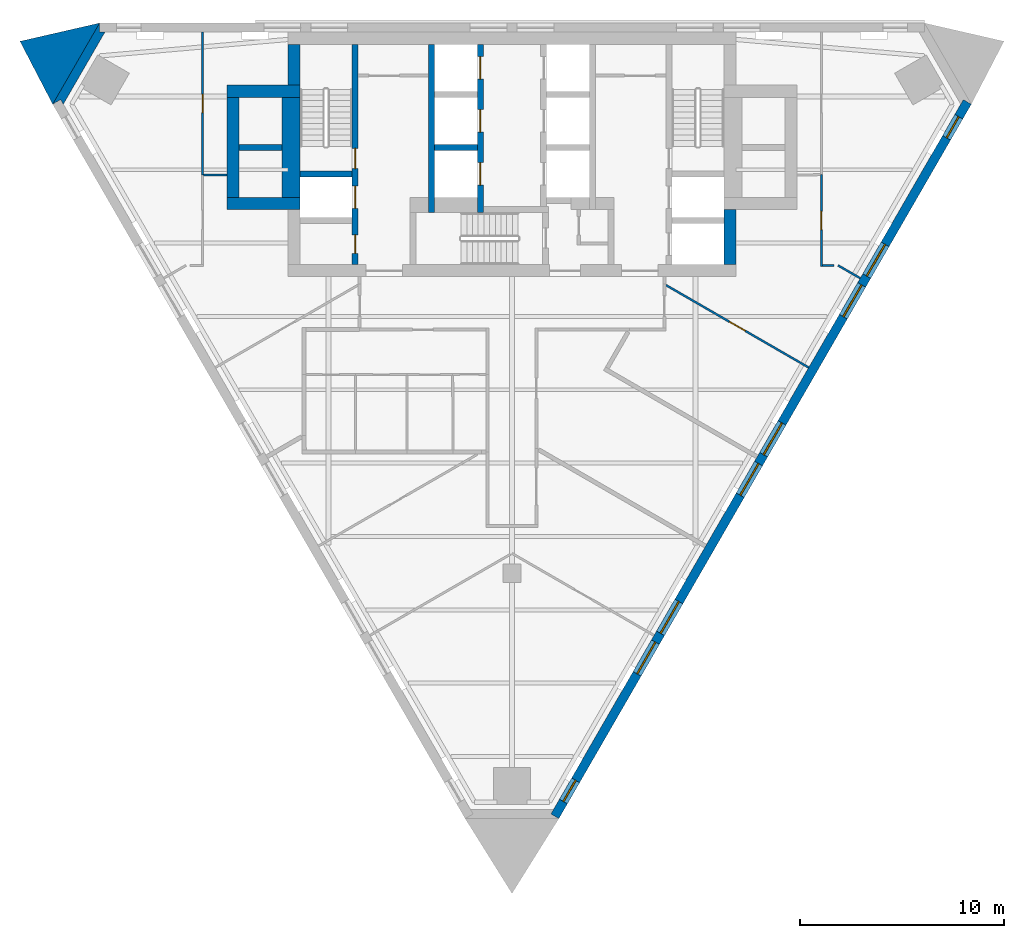
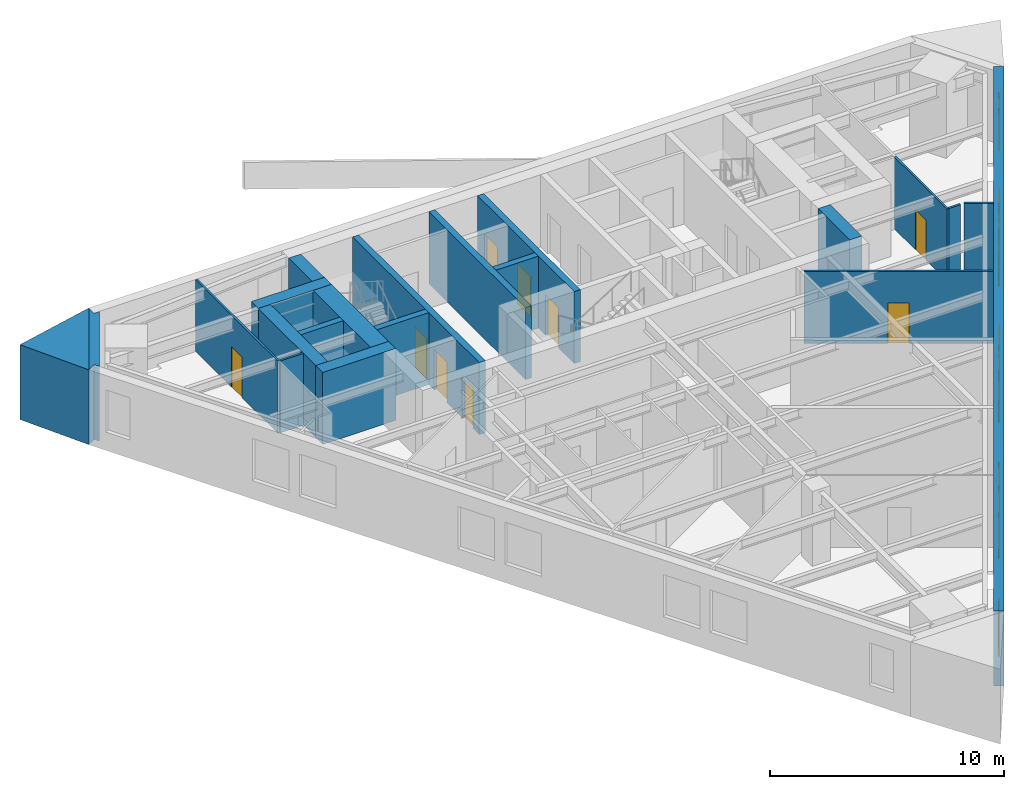
# One storey, part 4 of 7: 21 walls, 9 doors, 8 windows, 17 openings.
"""IFC4 building model written with IfcOpenShell, lengths in metres."""

from ifc_helpers import new_model, si_unit, direction, frame, frame_2d, origin, place, context, subcontext, project, spatial, polyline, rectangle, outline, extrude, material, layer, layer_set, type_object, element, fill, save


model = new_model("IFC4")

# Units and contexts
model_context = context("Model", 3, precision=1e-05, world=origin(), true_north=direction((0.0, 1.0)))
body_context = subcontext(model_context, "Body", "Model", "MODEL_VIEW")
ifc_project = project(units=[si_unit("LENGTHUNIT", "METRE"), si_unit("AREAUNIT", "SQUARE_METRE"), si_unit("VOLUMEUNIT", "CUBIC_METRE"), si_unit("PLANEANGLEUNIT", "RADIAN"), si_unit("MASSUNIT", "GRAM", prefix="KILO")], contexts=[model_context])

# Site, building, storey
site_placement = place(None, origin())
site = spatial("IfcSite", under=ifc_project, at=site_placement, CompositionType="ELEMENT")
building_placement = place(site_placement, origin())
building = spatial("IfcBuilding", under=site, at=building_placement, Name="Aloe Facet Convention Tower", CompositionType="ELEMENT")
storey_placement = place(building_placement, frame((0.0, 0.0, 132.5)))
storey = spatial("IfcBuildingStorey", under=building, at=storey_placement, Name="L33", CompositionType="ELEMENT", Elevation=132.5)

# Walls
ifc_material_1 = material(Name="Concrete C60/75", Category="concrete")
ifc_layer_1 = layer(ifc_material_1, 0.300048828125)
ifc_layer_set_1 = layer_set([ifc_layer_1], Name="CR-W-RC300-C6075")
wall_type_1 = type_object("IfcWallType", Name="CR-W-RC300-C6075", PredefinedType="SOLIDWALL", material=ifc_layer_set_1)
wall_1_placement = place(storey_placement, frame((66.60009765625, 128.89990234375, 0.0), z_axis=(0.0, 0.0, 1.0), x_axis=(1.0, 0.0, 0.0)))
element("IfcWall", 1, at=wall_1_placement, inside=storey, type_object=wall_type_1, Name="Core wall L33-004", PredefinedType="SOLIDWALL", context=body_context, shape_type="SweptSolid", body=[
    extrude(rectangle(XDim=2.099853515625, YDim=0.300048828125, at=frame_2d((1.0498046875, 0.0))), origin(), (0.0, 0.0, 1.0), 3.75),
])
wall_2_placement = place(storey_placement, frame((69.60009765625, 127.60009765625, 0.0), z_axis=(0.0, 0.0, 1.0), x_axis=(1.0, 0.0, 0.0)))
element("IfcWall", 2, at=wall_2_placement, inside=storey, type_object=wall_type_1, Name="Core wall L33-010", PredefinedType="SOLIDWALL", context=body_context, shape_type="SweptSolid", body=[
    extrude(rectangle(XDim=2.5498046875, YDim=0.300048828125, at=frame_2d((1.27490234375, 0.0))), origin(), (0.0, 0.0, 1.0), 3.75),
])

# Wall, openings, doors
wall_3_placement = place(storey_placement, frame((72.300048828125, 133.949951171875, 0.0), z_axis=(0.0, 0.0, 1.0), x_axis=(0.0, -1.0, 0.0)))
wall_3 = element("IfcWall", 3, at=wall_3_placement, inside=storey, type_object=wall_type_1, Name="Core wall L33-012", PredefinedType="SOLIDWALL", context=body_context, shape_type="SweptSolid", body=[
    extrude(rectangle(XDim=10.800048828125, YDim=0.300048828125, at=frame_2d((5.39990234375, 0.0))), origin(), (0.0, 0.0, 1.0), 3.75),
])
opening_1_placement = place(wall_3_placement, frame((6.949951171875, 0.0, 0.0)))
opening_1 = element("IfcOpeningElement", 4, at=opening_1_placement, cuts=wall_3, Name="Opening LD-FF1-L33", PredefinedType="OPENING", context=body_context, shape_type="SweptSolid", body=[
    extrude(rectangle(XDim=1.10009765625, YDim=2.10009765625, at=frame_2d((0.550048828125, 1.050048828125))), frame((0.0, 0.16015625, 0.0), z_axis=(0.0, -1.0, 0.0), x_axis=(1.0, 0.0, 0.0)), (0.0, 0.0, 1.0), 0.320068359375),
])
opening_2_placement = place(wall_3_placement, frame((9.35009765625, 0.0, 0.0)))
opening_2 = element("IfcOpeningElement", 5, at=opening_2_placement, cuts=wall_3, Name="Opening L33-CD15", PredefinedType="OPENING", context=body_context, shape_type="SweptSolid", body=[
    extrude(rectangle(XDim=0.89990234375, YDim=2.10009765625, at=frame_2d((0.449951171875, 1.050048828125))), frame((0.0, 0.16015625, 0.0), z_axis=(0.0, -1.0, 0.0), x_axis=(1.0, 0.0, 0.0)), (0.0, 0.0, 1.0), 0.320068359375),
])
opening_3_placement = place(wall_3_placement, frame((5.10009765625, 0.0, 0.0)))
opening_3 = element("IfcOpeningElement", 6, at=opening_3_placement, cuts=wall_3, Name="Opening L33-CD16", PredefinedType="OPENING", context=body_context, shape_type="SweptSolid", body=[
    extrude(rectangle(XDim=1.0, YDim=2.10009765625, at=frame_2d((0.5, 1.050048828125))), frame((0.0, 0.16015625, 0.0), z_axis=(0.0, -1.0, 0.0), x_axis=(1.0, 0.0, 0.0)), (0.0, 0.0, 1.0), 0.320068359375),
])
ifc_material_2 = material(Name="Steel fire-resisting door set FD60", Category="steel")
door_type_1 = type_object("IfcDoorType", Name="CR-D-ROOM-900-FD60-SLEFT", OperationType="SINGLE_SWING_LEFT", PredefinedType="DOOR", material=ifc_material_2)
door_1_placement = place(opening_2_placement, origin())
door_1 = element("IfcDoor", 7, at=door_1_placement, inside=storey, type_object=door_type_1, Name="Core door L33-CD15", OperationType="SINGLE_SWING_LEFT", OverallHeight=2.10009765625, OverallWidth=0.89990234375, PredefinedType="DOOR", context=body_context, shape_type="SweptSolid", body=[
    extrude(rectangle(XDim=0.89990234375, YDim=2.10009765625, at=frame_2d((0.449951171875, 1.050048828125))), frame((0.0, 0.02490234375, 0.0), z_axis=(0.0, -1.0, 0.0), x_axis=(1.0, 0.0, 0.0)), (0.0, 0.0, 1.0), 0.050048828125),
])
fill(opening_2, door_1)
ifc_material_3 = material(Name="Steel fire-resisting door set FD120", Category="steel")
door_type_2 = type_object("IfcDoorType", Name="CR-D-STAIR-1000-FD120-SRIGHT", OperationType="SINGLE_SWING_RIGHT", PredefinedType="DOOR", material=ifc_material_3)
door_2_placement = place(opening_3_placement, origin())
door_2 = element("IfcDoor", 8, at=door_2_placement, inside=storey, type_object=door_type_2, Name="Core door L33-CD16", OperationType="SINGLE_SWING_RIGHT", OverallHeight=2.10009765625, OverallWidth=1.0, PredefinedType="DOOR", context=body_context, shape_type="SweptSolid", body=[
    extrude(rectangle(XDim=1.0, YDim=2.10009765625, at=frame_2d((0.5, 1.050048828125))), frame((0.0, 0.02490234375, 0.0), z_axis=(0.0, -1.0, 0.0), x_axis=(1.0, 0.0, 0.0)), (0.0, 0.0, 1.0), 0.050048828125),
])
fill(opening_3, door_2)
ifc_material_4 = material(Name="Stainless steel sliding landing door", Category="steel")
door_type_3 = type_object("IfcDoorType", Name="CR-LD-1100-FD120-_LEFT", OperationType="SLIDING_TO_LEFT", PredefinedType="DOOR", material=ifc_material_4)
door_3_placement = place(opening_1_placement, origin())
door_3 = element("IfcDoor", 9, at=door_3_placement, inside=storey, type_object=door_type_3, Name="Landing door FF1 L33", OperationType="SLIDING_TO_LEFT", OverallHeight=2.10009765625, OverallWidth=1.10009765625, PredefinedType="DOOR", context=body_context, shape_type="SweptSolid", body=[
    extrude(rectangle(XDim=1.10009765625, YDim=2.10009765625, at=frame_2d((0.550048828125, 1.050048828125))), frame((0.0, 0.02490234375, 0.0), z_axis=(0.0, -1.0, 0.0), x_axis=(1.0, 0.0, 0.0)), (0.0, 0.0, 1.0), 0.050048828125),
])
fill(opening_1, door_3)

# Walls
wall_4_placement = place(storey_placement, frame((76.050048828125, 133.949951171875, 0.0), z_axis=(0.0, 0.0, 1.0), x_axis=(0.0, -1.0, 0.0)))
element("IfcWall", 10, at=wall_4_placement, inside=storey, type_object=wall_type_1, Name="Core wall L33-016", PredefinedType="SOLIDWALL", context=body_context, shape_type="SweptSolid", body=[
    extrude(rectangle(XDim=8.25, YDim=0.300048828125, at=frame_2d((4.125, 0.0))), origin(), (0.0, 0.0, 1.0), 3.75),
])
wall_5_placement = place(storey_placement, frame((76.199951171875, 128.89990234375, 0.0), z_axis=(0.0, 0.0, 1.0), x_axis=(1.0, 0.0, 0.0)))
element("IfcWall", 11, at=wall_5_placement, inside=storey, type_object=wall_type_1, Name="Core wall L33-018", PredefinedType="SOLIDWALL", context=body_context, shape_type="SweptSolid", body=[
    extrude(rectangle(XDim=2.10009765625, YDim=0.300048828125, at=frame_2d((1.050048828125, 0.0))), origin(), (0.0, 0.0, 1.0), 3.75),
])

# Wall, openings, doors
wall_6_placement = place(storey_placement, frame((78.449951171875, 133.949951171875, 0.0), z_axis=(0.0, 0.0, 1.0), x_axis=(0.0, -1.0, 0.0)))
wall_6 = element("IfcWall", 12, at=wall_6_placement, inside=storey, type_object=wall_type_1, Name="Core wall L33-020", PredefinedType="SOLIDWALL", context=body_context, shape_type="SweptSolid", body=[
    extrude(rectangle(XDim=8.25, YDim=0.300048828125, at=frame_2d((4.125, 0.0))), origin(), (0.0, 0.0, 1.0), 3.75),
])
opening_4_placement = place(wall_6_placement, frame((0.60009765625, 0.0, 0.0)))
opening_4 = element("IfcOpeningElement", 13, at=opening_4_placement, cuts=wall_6, Name="Opening LD-B1-L33", PredefinedType="OPENING", context=body_context, shape_type="SweptSolid", body=[
    extrude(rectangle(XDim=1.10009765625, YDim=2.10009765625, at=frame_2d((0.550048828125, 1.050048828125))), frame((0.0, 0.16015625, 0.0), z_axis=(0.0, -1.0, 0.0), x_axis=(1.0, 0.0, 0.0)), (0.0, 0.0, 1.0), 0.320068359375),
])
opening_5_placement = place(wall_6_placement, frame((3.199951171875, 0.0, 0.0)))
opening_5 = element("IfcOpeningElement", 14, at=opening_5_placement, cuts=wall_6, Name="Opening LD-B2-L33", PredefinedType="OPENING", context=body_context, shape_type="SweptSolid", body=[
    extrude(rectangle(XDim=1.10009765625, YDim=2.10009765625, at=frame_2d((0.550048828125, 1.050048828125))), frame((0.0, 0.16015625, 0.0), z_axis=(0.0, -1.0, 0.0), x_axis=(1.0, 0.0, 0.0)), (0.0, 0.0, 1.0), 0.320068359375),
])
opening_6_placement = place(wall_6_placement, frame((5.800048828125, 0.0, 0.0)))
opening_6 = element("IfcOpeningElement", 15, at=opening_6_placement, cuts=wall_6, Name="Opening LD-B3-L33", PredefinedType="OPENING", context=body_context, shape_type="SweptSolid", body=[
    extrude(rectangle(XDim=1.10009765625, YDim=2.10009765625, at=frame_2d((0.550048828125, 1.050048828125))), frame((0.0, 0.16015625, 0.0), z_axis=(0.0, -1.0, 0.0), x_axis=(1.0, 0.0, 0.0)), (0.0, 0.0, 1.0), 0.320068359375),
])
ifc_material_5 = material(Name="Stainless steel sliding landing door", Category="steel")
door_type_4 = type_object("IfcDoorType", Name="CR-LD-1100-FD60-RIGHT", OperationType="SLIDING_TO_RIGHT", PredefinedType="DOOR", material=ifc_material_5)
door_4_placement = place(opening_4_placement, origin())
door_4 = element("IfcDoor", 16, at=door_4_placement, inside=storey, type_object=door_type_4, Name="Landing door B1 L33", OperationType="SLIDING_TO_RIGHT", OverallHeight=2.10009765625, OverallWidth=1.10009765625, PredefinedType="DOOR", context=body_context, shape_type="SweptSolid", body=[
    extrude(rectangle(XDim=1.10009765625, YDim=2.10009765625, at=frame_2d((0.550048828125, 1.050048828125))), frame((0.0, 0.02490234375, 0.0), z_axis=(0.0, -1.0, 0.0), x_axis=(1.0, 0.0, 0.0)), (0.0, 0.0, 1.0), 0.050048828125),
])
fill(opening_4, door_4)
door_5_placement = place(opening_5_placement, origin())
door_5 = element("IfcDoor", 17, at=door_5_placement, inside=storey, type_object=door_type_4, Name="Landing door B2 L33", OperationType="SLIDING_TO_RIGHT", OverallHeight=2.10009765625, OverallWidth=1.10009765625, PredefinedType="DOOR", context=body_context, shape_type="SweptSolid", body=[
    extrude(rectangle(XDim=1.10009765625, YDim=2.10009765625, at=frame_2d((0.550048828125, 1.050048828125))), frame((0.0, 0.02490234375, 0.0), z_axis=(0.0, -1.0, 0.0), x_axis=(1.0, 0.0, 0.0)), (0.0, 0.0, 1.0), 0.050048828125),
])
fill(opening_5, door_5)
door_6_placement = place(opening_6_placement, origin())
door_6 = element("IfcDoor", 18, at=door_6_placement, inside=storey, type_object=door_type_4, Name="Landing door B3 L33", OperationType="SLIDING_TO_RIGHT", OverallHeight=2.10009765625, OverallWidth=1.10009765625, PredefinedType="DOOR", context=body_context, shape_type="SweptSolid", body=[
    extrude(rectangle(XDim=1.10009765625, YDim=2.10009765625, at=frame_2d((0.550048828125, 1.050048828125))), frame((0.0, 0.02490234375, 0.0), z_axis=(0.0, -1.0, 0.0), x_axis=(1.0, 0.0, 0.0)), (0.0, 0.0, 1.0), 0.050048828125),
])
fill(opening_6, door_6)

# Walls
ifc_material_6 = material(Name="Concrete C60/75", Category="concrete")
ifc_layer_2 = layer(ifc_material_6, 0.60009765625)
ifc_layer_set_2 = layer_set([ifc_layer_2], Name="CR-W-RC600-C6075")
wall_type_2 = type_object("IfcWallType", Name="CR-W-RC600-C6075", PredefinedType="SOLIDWALL", material=ifc_layer_set_2)
wall_7_placement = place(storey_placement, frame((66.0, 131.64990234375, 0.0), z_axis=(0.0, 0.0, 1.0), x_axis=(1.0, 0.0, 0.0)))
element("IfcWall", 19, at=wall_7_placement, inside=storey, type_object=wall_type_2, Name="Core wall L33-001", PredefinedType="SOLIDWALL", context=body_context, shape_type="SweptSolid", body=[
    extrude(rectangle(XDim=3.60009765625, YDim=0.60009765625, at=frame_2d((1.800048828125, 0.0))), origin(), (0.0, 0.0, 1.0), 3.75),
])
wall_8_placement = place(storey_placement, frame((66.300048828125, 131.35009765625, 0.0), z_axis=(0.0, 0.0, 1.0), x_axis=(0.0, -1.0, 0.0)))
element("IfcWall", 20, at=wall_8_placement, inside=storey, type_object=wall_type_2, Name="Core wall L33-002", PredefinedType="SOLIDWALL", context=body_context, shape_type="SweptSolid", body=[
    extrude(rectangle(XDim=4.900146484375, YDim=0.60009765625, at=frame_2d((2.4501953125, 0.0))), origin(), (0.0, 0.0, 1.0), 3.75),
])
wall_9_placement = place(storey_placement, frame((66.0, 126.14990234375, 0.0), z_axis=(0.0, 0.0, 1.0), x_axis=(1.0, 0.0, 0.0)))
element("IfcWall", 21, at=wall_9_placement, inside=storey, type_object=wall_type_2, Name="Core wall L33-003", PredefinedType="SOLIDWALL", context=body_context, shape_type="SweptSolid", body=[
    extrude(rectangle(XDim=3.60009765625, YDim=0.60009765625, at=frame_2d((1.800048828125, 0.0))), origin(), (0.0, 0.0, 1.0), 3.75),
])
wall_10_placement = place(storey_placement, frame((69.300048828125, 133.949951171875, 0.0), z_axis=(0.0, 0.0, 1.0), x_axis=(0.0, -1.0, 0.0)))
element("IfcWall", 22, at=wall_10_placement, inside=storey, type_object=wall_type_2, Name="Core wall L33-007", PredefinedType="SOLIDWALL", context=body_context, shape_type="SweptSolid", body=[
    extrude(rectangle(XDim=2.0, YDim=0.60009765625, at=frame_2d((1.0, 0.0))), origin(), (0.0, 0.0, 1.0), 3.75),
])
wall_11_placement = place(storey_placement, frame((90.699951171875, 125.85009765625, 0.0), z_axis=(0.0, 0.0, 1.0), x_axis=(0.0, -1.0, 0.0)))
element("IfcWall", 23, at=wall_11_placement, inside=storey, type_object=wall_type_2, Name="Core wall L33-041", PredefinedType="SOLIDWALL", context=body_context, shape_type="SweptSolid", body=[
    extrude(rectangle(XDim=2.7001953125, YDim=0.60009765625, at=frame_2d((1.35009765625, 0.0))), origin(), (0.0, 0.0, 1.0), 3.75),
])
ifc_material_7 = material(Name="Concrete C60/75", Category="concrete")
ifc_layer_3 = layer(ifc_material_7, 0.89990234375)
ifc_layer_set_3 = layer_set([ifc_layer_3], Name="CR-W-RC900-C6075")
wall_type_3 = type_object("IfcWallType", Name="CR-W-RC900-C6075", PredefinedType="SOLIDWALL", material=ifc_layer_set_3)
wall_12_placement = place(storey_placement, frame((69.14990234375, 131.35009765625, 0.0), z_axis=(0.0, 0.0, 1.0), x_axis=(0.0, -1.0, 0.0)))
element("IfcWall", 24, at=wall_12_placement, inside=storey, type_object=wall_type_3, Name="Core wall L33-005", PredefinedType="SOLIDWALL", context=body_context, shape_type="SweptSolid", body=[
    extrude(rectangle(XDim=4.900146484375, YDim=0.89990234375, at=frame_2d((2.4501953125, 0.0))), origin(), (0.0, 0.0, 1.0), 3.75),
])
ifc_material_8 = material(Name="Precast concrete C40/50", Category="concrete")
ifc_layer_4 = layer(ifc_material_8, 0.449951171875)
ifc_layer_set_4 = layer_set([ifc_layer_4], Name="EV-WALL-PIER")
wall_type_4 = type_object("IfcWallType", Name="EV-WALL-PIER", PredefinedType="SOLIDWALL", material=ifc_layer_set_4)
wall_13_placement = place(storey_placement, frame((0.0, 0.0, -0.14990234375)))
element("IfcWall", 25, at=wall_13_placement, inside=storey, type_object=wall_type_4, Name="EP-L33-A", PredefinedType="SOLIDWALL", context=body_context, shape_type="SweptSolid", body=[
    extrude(outline(polyline([(59.7568359375, 135.0), (59.7568359375, 134.550048828125), (60.016845703125, 134.550048828125), (57.9765625, 131.016357421875), (57.8466796875, 131.2412109375), (57.45703125, 131.016357421875), (59.7568359375, 135.0)])), origin(), (0.0, 0.0, 1.0), 3.89990234375),
])
ifc_material_9 = material(Name="Precast concrete C40/50", Category="concrete")
ifc_layer_5 = layer(ifc_material_9, 3.947998046875)
ifc_layer_set_5 = layer_set([ifc_layer_5], Name="EV-WALL-SPINE")
wall_type_5 = type_object("IfcWallType", Name="EV-WALL-SPINE", PredefinedType="SOLIDWALL", material=ifc_layer_set_5)
wall_14_placement = place(storey_placement, frame((0.0, 0.0, -0.14990234375)))
element("IfcWall", 26, at=wall_14_placement, inside=storey, type_object=wall_type_5, Name="SP-NW-L33", PredefinedType="SOLIDWALL", context=body_context, shape_type="SweptSolid", body=[
    extrude(outline(polyline([(59.7568359375, 135.0), (55.851806640625, 134.1044921875), (57.45703125, 131.016357421875), (59.7568359375, 135.0)])), origin(), (0.0, 0.0, 1.0), 3.89990234375),
])

# Wall, openings, windows
ifc_material_10 = material(Name="Precast concrete C40/50", Category="concrete")
ifc_layer_6 = layer(ifc_material_10, 0.449951171875)
ifc_layer_set_6 = layer_set([ifc_layer_6], Name="EV-WALL-STONE")
wall_type_6 = type_object("IfcWallType", Name="EV-WALL-STONE", PredefinedType="SOLIDWALL", material=ifc_layer_set_6)
wall_15_placement = place(storey_placement, frame((82.105224609375, 96.066650390625, -0.14990234375), z_axis=(0.0, 0.0, 1.0), x_axis=(0.499997369791, 0.866026922331, 0.0)))
wall_15 = element("IfcWall", 27, at=wall_15_placement, inside=storey, type_object=wall_type_6, Name="EW-L33-E01", PredefinedType="SOLIDWALL", context=body_context, shape_type="SweptSolid", body=[
    extrude(outline(polyline([(40.486083984375, 0.0), (40.486083984375, 3.89990234375), (0.0, 3.89990234375), (0.0, 0.0), (40.486083984375, 0.0)])), frame((0.0, 0.22509765625, 0.0), z_axis=(0.0, -1.0, 0.0), x_axis=(1.0, 0.0, 0.0)), (0.0, 0.0, 1.0), 0.449951171875),
])
opening_7_placement = place(wall_15_placement, frame((0.83740234375, 0.0, 0.949951171875)))
opening_7 = element("IfcOpeningElement", 28, at=opening_7_placement, cuts=wall_15, Name="Opening W-L33-E01", PredefinedType="OPENING", context=body_context, shape_type="SweptSolid", body=[
    extrude(rectangle(XDim=1.199951171875, YDim=2.199951171875, at=frame_2d((0.60009765625, 1.10009765625))), frame((0.0, 0.23486328125, 0.0), z_axis=(0.0, -1.0, 0.0), x_axis=(1.0, 0.0, 0.0)), (0.0, 0.0, 1.0), 0.469970703125),
])
opening_8_placement = place(wall_15_placement, frame((8.071533203125, 0.0, 0.949951171875)))
opening_8 = element("IfcOpeningElement", 29, at=opening_8_placement, cuts=wall_15, Name="Opening W-L33-E02", PredefinedType="OPENING", context=body_context, shape_type="SweptSolid", body=[
    extrude(rectangle(XDim=1.800048828125, YDim=2.199951171875, at=frame_2d((0.89990234375, 1.10009765625))), frame((0.0, 0.23486328125, 0.0), z_axis=(0.0, -1.0, 0.0), x_axis=(1.0, 0.0, 0.0)), (0.0, 0.0, 1.0), 0.469970703125),
])
opening_9_placement = place(wall_15_placement, frame((10.37158203125, 0.0, 0.949951171875)))
opening_9 = element("IfcOpeningElement", 30, at=opening_9_placement, cuts=wall_15, Name="Opening W-L33-E03", PredefinedType="OPENING", context=body_context, shape_type="SweptSolid", body=[
    extrude(rectangle(XDim=1.800048828125, YDim=2.199951171875, at=frame_2d((0.89990234375, 1.10009765625))), frame((0.0, 0.23486328125, 0.0), z_axis=(0.0, -1.0, 0.0), x_axis=(1.0, 0.0, 0.0)), (0.0, 0.0, 1.0), 0.469970703125),
])
opening_10_placement = place(wall_15_placement, frame((18.193115234375, 0.0, 0.949951171875)))
opening_10 = element("IfcOpeningElement", 31, at=opening_10_placement, cuts=wall_15, Name="Opening W-L33-E04", PredefinedType="OPENING", context=body_context, shape_type="SweptSolid", body=[
    extrude(rectangle(XDim=1.800048828125, YDim=2.199951171875, at=frame_2d((0.89990234375, 1.10009765625))), frame((0.0, 0.23486328125, 0.0), z_axis=(0.0, -1.0, 0.0), x_axis=(1.0, 0.0, 0.0)), (0.0, 0.0, 1.0), 0.469970703125),
])
opening_11_placement = place(wall_15_placement, frame((20.4931640625, 0.0, 0.949951171875)))
opening_11 = element("IfcOpeningElement", 32, at=opening_11_placement, cuts=wall_15, Name="Opening W-L33-E05", PredefinedType="OPENING", context=body_context, shape_type="SweptSolid", body=[
    extrude(rectangle(XDim=1.800048828125, YDim=2.199951171875, at=frame_2d((0.89990234375, 1.10009765625))), frame((0.0, 0.23486328125, 0.0), z_axis=(0.0, -1.0, 0.0), x_axis=(1.0, 0.0, 0.0)), (0.0, 0.0, 1.0), 0.469970703125),
])
opening_12_placement = place(wall_15_placement, frame((28.314697265625, 0.0, 0.949951171875)))
opening_12 = element("IfcOpeningElement", 33, at=opening_12_placement, cuts=wall_15, Name="Opening W-L33-E06", PredefinedType="OPENING", context=body_context, shape_type="SweptSolid", body=[
    extrude(rectangle(XDim=1.800048828125, YDim=2.199951171875, at=frame_2d((0.89990234375, 1.10009765625))), frame((0.0, 0.23486328125, 0.0), z_axis=(0.0, -1.0, 0.0), x_axis=(1.0, 0.0, 0.0)), (0.0, 0.0, 1.0), 0.469970703125),
])
opening_13_placement = place(wall_15_placement, frame((30.614501953125, 0.0, 0.949951171875)))
opening_13 = element("IfcOpeningElement", 34, at=opening_13_placement, cuts=wall_15, Name="Opening W-L33-E07", PredefinedType="OPENING", context=body_context, shape_type="SweptSolid", body=[
    extrude(rectangle(XDim=1.800048828125, YDim=2.199951171875, at=frame_2d((0.89990234375, 1.10009765625))), frame((0.0, 0.23486328125, 0.0), z_axis=(0.0, -1.0, 0.0), x_axis=(1.0, 0.0, 0.0)), (0.0, 0.0, 1.0), 0.469970703125),
])
opening_14_placement = place(wall_15_placement, frame((38.44873046875, 0.0, 0.949951171875)))
opening_14 = element("IfcOpeningElement", 35, at=opening_14_placement, cuts=wall_15, Name="Opening W-L33-E08", PredefinedType="OPENING", context=body_context, shape_type="SweptSolid", body=[
    extrude(rectangle(XDim=1.199951171875, YDim=2.199951171875, at=frame_2d((0.60009765625, 1.10009765625))), frame((0.0, 0.23486328125, 0.0), z_axis=(0.0, -1.0, 0.0), x_axis=(1.0, 0.0, 0.0)), (0.0, 0.0, 1.0), 0.469970703125),
])
ifc_material_11 = material(Name="Aluminium frame, clear double glazing", Category="aluminium")
window_type_1 = type_object("IfcWindowType", Name="EV-WIN-O12", PartitioningType="SINGLE_PANEL", PredefinedType="WINDOW", material=ifc_material_11)
window_1_placement = place(opening_7_placement, origin())
window_1 = element("IfcWindow", 36, at=window_1_placement, inside=storey, type_object=window_type_1, Name="W-L33-E01", OverallHeight=2.199951171875, OverallWidth=1.199951171875, PartitioningType="SINGLE_PANEL", PredefinedType="WINDOW", context=body_context, shape_type="SweptSolid", body=[
    extrude(rectangle(XDim=1.199951171875, YDim=2.199951171875, at=frame_2d((0.60009765625, 1.10009765625))), frame((0.0, 0.030029296875, 0.0), z_axis=(0.0, -1.0, 0.0), x_axis=(1.0, 0.0, 0.0)), (0.0, 0.0, 1.0), 0.06005859375),
])
fill(opening_7, window_1)
window_2_placement = place(opening_14_placement, origin())
window_2 = element("IfcWindow", 37, at=window_2_placement, inside=storey, type_object=window_type_1, Name="W-L33-E08", OverallHeight=2.199951171875, OverallWidth=1.199951171875, PartitioningType="SINGLE_PANEL", PredefinedType="WINDOW", context=body_context, shape_type="SweptSolid", body=[
    extrude(rectangle(XDim=1.199951171875, YDim=2.199951171875, at=frame_2d((0.60009765625, 1.10009765625))), frame((0.0, 0.030029296875, 0.0), z_axis=(0.0, -1.0, 0.0), x_axis=(1.0, 0.0, 0.0)), (0.0, 0.0, 1.0), 0.06005859375),
])
fill(opening_14, window_2)
ifc_material_12 = material(Name="Aluminium frame, clear double glazing", Category="aluminium")
window_type_2 = type_object("IfcWindowType", Name="EV-WIN-O18", PartitioningType="SINGLE_PANEL", PredefinedType="WINDOW", material=ifc_material_12)
window_3_placement = place(opening_8_placement, origin())
window_3 = element("IfcWindow", 38, at=window_3_placement, inside=storey, type_object=window_type_2, Name="W-L33-E02", OverallHeight=2.199951171875, OverallWidth=1.800048828125, PartitioningType="SINGLE_PANEL", PredefinedType="WINDOW", context=body_context, shape_type="SweptSolid", body=[
    extrude(rectangle(XDim=1.800048828125, YDim=2.199951171875, at=frame_2d((0.89990234375, 1.10009765625))), frame((0.0, 0.030029296875, 0.0), z_axis=(0.0, -1.0, 0.0), x_axis=(1.0, 0.0, 0.0)), (0.0, 0.0, 1.0), 0.06005859375),
])
fill(opening_8, window_3)
window_4_placement = place(opening_9_placement, origin())
window_4 = element("IfcWindow", 39, at=window_4_placement, inside=storey, type_object=window_type_2, Name="W-L33-E03", OverallHeight=2.199951171875, OverallWidth=1.800048828125, PartitioningType="SINGLE_PANEL", PredefinedType="WINDOW", context=body_context, shape_type="SweptSolid", body=[
    extrude(rectangle(XDim=1.800048828125, YDim=2.199951171875, at=frame_2d((0.89990234375, 1.10009765625))), frame((0.0, 0.030029296875, 0.0), z_axis=(0.0, -1.0, 0.0), x_axis=(1.0, 0.0, 0.0)), (0.0, 0.0, 1.0), 0.06005859375),
])
fill(opening_9, window_4)
window_5_placement = place(opening_10_placement, origin())
window_5 = element("IfcWindow", 40, at=window_5_placement, inside=storey, type_object=window_type_2, Name="W-L33-E04", OverallHeight=2.199951171875, OverallWidth=1.800048828125, PartitioningType="SINGLE_PANEL", PredefinedType="WINDOW", context=body_context, shape_type="SweptSolid", body=[
    extrude(rectangle(XDim=1.800048828125, YDim=2.199951171875, at=frame_2d((0.89990234375, 1.10009765625))), frame((0.0, 0.030029296875, 0.0), z_axis=(0.0, -1.0, 0.0), x_axis=(1.0, 0.0, 0.0)), (0.0, 0.0, 1.0), 0.06005859375),
])
fill(opening_10, window_5)
window_6_placement = place(opening_11_placement, origin())
window_6 = element("IfcWindow", 41, at=window_6_placement, inside=storey, type_object=window_type_2, Name="W-L33-E05", OverallHeight=2.199951171875, OverallWidth=1.800048828125, PartitioningType="SINGLE_PANEL", PredefinedType="WINDOW", context=body_context, shape_type="SweptSolid", body=[
    extrude(rectangle(XDim=1.800048828125, YDim=2.199951171875, at=frame_2d((0.89990234375, 1.10009765625))), frame((0.0, 0.030029296875, 0.0), z_axis=(0.0, -1.0, 0.0), x_axis=(1.0, 0.0, 0.0)), (0.0, 0.0, 1.0), 0.06005859375),
])
fill(opening_11, window_6)
window_7_placement = place(opening_12_placement, origin())
window_7 = element("IfcWindow", 42, at=window_7_placement, inside=storey, type_object=window_type_2, Name="W-L33-E06", OverallHeight=2.199951171875, OverallWidth=1.800048828125, PartitioningType="SINGLE_PANEL", PredefinedType="WINDOW", context=body_context, shape_type="SweptSolid", body=[
    extrude(rectangle(XDim=1.800048828125, YDim=2.199951171875, at=frame_2d((0.89990234375, 1.10009765625))), frame((0.0, 0.030029296875, 0.0), z_axis=(0.0, -1.0, 0.0), x_axis=(1.0, 0.0, 0.0)), (0.0, 0.0, 1.0), 0.06005859375),
])
fill(opening_12, window_7)
window_8_placement = place(opening_13_placement, origin())
window_8 = element("IfcWindow", 43, at=window_8_placement, inside=storey, type_object=window_type_2, Name="W-L33-E07", OverallHeight=2.199951171875, OverallWidth=1.800048828125, PartitioningType="SINGLE_PANEL", PredefinedType="WINDOW", context=body_context, shape_type="SweptSolid", body=[
    extrude(rectangle(XDim=1.800048828125, YDim=2.199951171875, at=frame_2d((0.89990234375, 1.10009765625))), frame((0.0, 0.030029296875, 0.0), z_axis=(0.0, -1.0, 0.0), x_axis=(1.0, 0.0, 0.0)), (0.0, 0.0, 1.0), 0.06005859375),
])
fill(opening_13, window_8)

# Wall, opening, door
ifc_material_13 = material(Name="Gypsum board partition on steel studs", Category="steel")
ifc_layer_7 = layer(ifc_material_13, 0.10009765625)
ifc_layer_set_7 = layer_set([ifc_layer_7], Name="IN-W-PART")
wall_type_7 = type_object("IfcWallType", Name="IN-W-PART", PredefinedType="PARTITIONING", material=ifc_layer_set_7)
wall_16_placement = place(storey_placement, frame((87.557373046875, 122.13720703125, 0.0), z_axis=(0.0, 0.0, 1.0), x_axis=(0.866029768103, -0.499992440702, 0.0)))
wall_16 = element("IfcWall", 44, at=wall_16_placement, inside=storey, type_object=wall_type_7, Name="Partition L33-W028", PredefinedType="PARTITIONING", context=body_context, shape_type="SweptSolid", body=[
    extrude(rectangle(XDim=8.088623046875, YDim=0.10009765625, at=frame_2d((4.04443359375, 0.0))), origin(), (0.0, 0.0, 1.0), 3.75),
])
opening_15_placement = place(wall_16_placement, frame((3.59423828125, 0.0, 0.0)))
opening_15 = element("IfcOpeningElement", 45, at=opening_15_placement, cuts=wall_16, Name="Opening L33-013", PredefinedType="OPENING", context=body_context, shape_type="SweptSolid", body=[
    extrude(rectangle(XDim=0.89990234375, YDim=2.10009765625, at=frame_2d((0.449951171875, 1.050048828125))), frame((0.0, 0.06005859375, 0.0), z_axis=(0.0, -1.0, 0.0), x_axis=(1.0, 0.0, 0.0)), (0.0, 0.0, 1.0), 0.1201171875),
])
ifc_material_14 = material(Name="Timber door", Category="wood")
door_type_5 = type_object("IfcDoorType", Name="IN-OFF-D-ROOM", OperationType="SINGLE_SWING_LEFT", PredefinedType="DOOR", material=ifc_material_14)
door_7_placement = place(opening_15_placement, origin())
door_7 = element("IfcDoor", 46, at=door_7_placement, inside=storey, type_object=door_type_5, Name="Door L33-013", OperationType="SINGLE_SWING_LEFT", OverallHeight=2.10009765625, OverallWidth=0.89990234375, PredefinedType="DOOR", context=body_context, shape_type="SweptSolid", body=[
    extrude(rectangle(XDim=0.89990234375, YDim=2.10009765625, at=frame_2d((0.449951171875, 1.050048828125))), frame((0.0, 0.02490234375, 0.0), z_axis=(0.0, -1.0, 0.0), x_axis=(1.0, 0.0, 0.0)), (0.0, 0.0, 1.0), 0.050048828125),
])
fill(opening_15, door_7)

# Wall
wall_17_placement = place(storey_placement, frame((96.0, 123.1064453125, 0.0), z_axis=(0.0, 0.0, 1.0), x_axis=(0.86607923909, -0.499906742921, 0.0)))
element("IfcWall", 47, at=wall_17_placement, inside=storey, type_object=wall_type_7, Name="Partition L33-W038", PredefinedType="PARTITIONING", context=body_context, shape_type="SweptSolid", body=[
    extrude(rectangle(XDim=1.261474609375, YDim=0.10009765625, at=frame_2d((0.630859375, 0.0))), origin(), (0.0, 0.0, 1.0), 3.75),
])

# Wall, opening, door
wall_18_placement = place(storey_placement, frame((95.188720703125, 123.056640625, 0.0), z_axis=(0.0, 0.0, 1.0), x_axis=(0.0, 1.0, 0.0)))
wall_18 = element("IfcWall", 48, at=wall_18_placement, inside=storey, type_object=wall_type_7, Name="Partition L33-W042", PredefinedType="PARTITIONING", context=body_context, shape_type="SweptSolid", body=[
    extrude(rectangle(XDim=4.500244140625, YDim=0.10009765625, at=frame_2d((2.25, 0.0))), origin(), (0.0, 0.0, 1.0), 3.75),
])
opening_16_placement = place(wall_18_placement, frame((1.80029296875, 0.0, 0.0)))
opening_16 = element("IfcOpeningElement", 49, at=opening_16_placement, cuts=wall_18, Name="Opening L33-015", PredefinedType="OPENING", context=body_context, shape_type="SweptSolid", body=[
    extrude(rectangle(XDim=0.89990234375, YDim=2.10009765625, at=frame_2d((0.449951171875, 1.050048828125))), frame((0.0, 0.06005859375, 0.0), z_axis=(0.0, -1.0, 0.0), x_axis=(1.0, 0.0, 0.0)), (0.0, 0.0, 1.0), 0.1201171875),
])
door_8_placement = place(opening_16_placement, origin())
door_8 = element("IfcDoor", 50, at=door_8_placement, inside=storey, type_object=door_type_5, Name="Door L33-015", OperationType="SINGLE_SWING_LEFT", OverallHeight=2.10009765625, OverallWidth=0.89990234375, PredefinedType="DOOR", context=body_context, shape_type="SweptSolid", body=[
    extrude(rectangle(XDim=0.89990234375, YDim=2.10009765625, at=frame_2d((0.449951171875, 1.050048828125))), frame((0.0, 0.02490234375, 0.0), z_axis=(0.0, -1.0, 0.0), x_axis=(1.0, 0.0, 0.0)), (0.0, 0.0, 1.0), 0.050048828125),
])
fill(opening_16, door_8)

# Walls
wall_19_placement = place(storey_placement, frame((95.23876953125, 123.106689453125, 0.0), z_axis=(0.0, 0.0, 1.0), x_axis=(0.999999909769, -0.000424808798, 0.0)))
element("IfcWall", 51, at=wall_19_placement, inside=storey, type_object=wall_type_7, Name="Partition L33-W043", PredefinedType="PARTITIONING", context=body_context, shape_type="SweptSolid", body=[
    extrude(rectangle(XDim=0.57470703125, YDim=0.10009765625, at=frame_2d((0.287353515625, 0.0))), origin(), (0.0, 0.0, 1.0), 3.75),
])
wall_20_placement = place(storey_placement, frame((64.861328125, 127.547119140625, 0.0), z_axis=(0.0, 0.0, 1.0), x_axis=(1.0, 0.0, 0.0)))
element("IfcWall", 52, at=wall_20_placement, inside=storey, type_object=wall_type_7, Name="Partition L33-W045", PredefinedType="PARTITIONING", context=body_context, shape_type="SweptSolid", body=[
    extrude(rectangle(XDim=1.138671875, YDim=0.10009765625, at=frame_2d((0.5693359375, 0.0))), origin(), (0.0, 0.0, 1.0), 3.75),
])

# Wall, opening, door
wall_21_placement = place(storey_placement, frame((64.811279296875, 127.547119140625, 0.0), z_axis=(0.0, 0.0, 1.0), x_axis=(0.0, 1.0, 0.0)))
wall_21 = element("IfcWall", 53, at=wall_21_placement, inside=storey, type_object=wall_type_7, Name="Partition L33-W048", PredefinedType="PARTITIONING", context=body_context, shape_type="SweptSolid", body=[
    extrude(rectangle(XDim=7.0029296875, YDim=0.10009765625, at=frame_2d((3.50146484375, 0.0))), origin(), (0.0, 0.0, 1.0), 3.75),
])
opening_17_placement = place(wall_21_placement, frame((3.051513671875, 0.0, 0.0)))
opening_17 = element("IfcOpeningElement", 54, at=opening_17_placement, cuts=wall_21, Name="Opening L33-007", PredefinedType="OPENING", context=body_context, shape_type="SweptSolid", body=[
    extrude(rectangle(XDim=0.89990234375, YDim=2.10009765625, at=frame_2d((0.449951171875, 1.050048828125))), frame((0.0, 0.06005859375, 0.0), z_axis=(0.0, -1.0, 0.0), x_axis=(1.0, 0.0, 0.0)), (0.0, 0.0, 1.0), 0.1201171875),
])
door_9_placement = place(opening_17_placement, origin())
door_9 = element("IfcDoor", 55, at=door_9_placement, inside=storey, type_object=door_type_5, Name="Door L33-007", OperationType="SINGLE_SWING_LEFT", OverallHeight=2.10009765625, OverallWidth=0.89990234375, PredefinedType="DOOR", context=body_context, shape_type="SweptSolid", body=[
    extrude(rectangle(XDim=0.89990234375, YDim=2.10009765625, at=frame_2d((0.449951171875, 1.050048828125))), frame((0.0, 0.02490234375, 0.0), z_axis=(0.0, -1.0, 0.0), x_axis=(1.0, 0.0, 0.0)), (0.0, 0.0, 1.0), 0.050048828125),
])
fill(opening_17, door_9)

save(model, "model.ifc")
